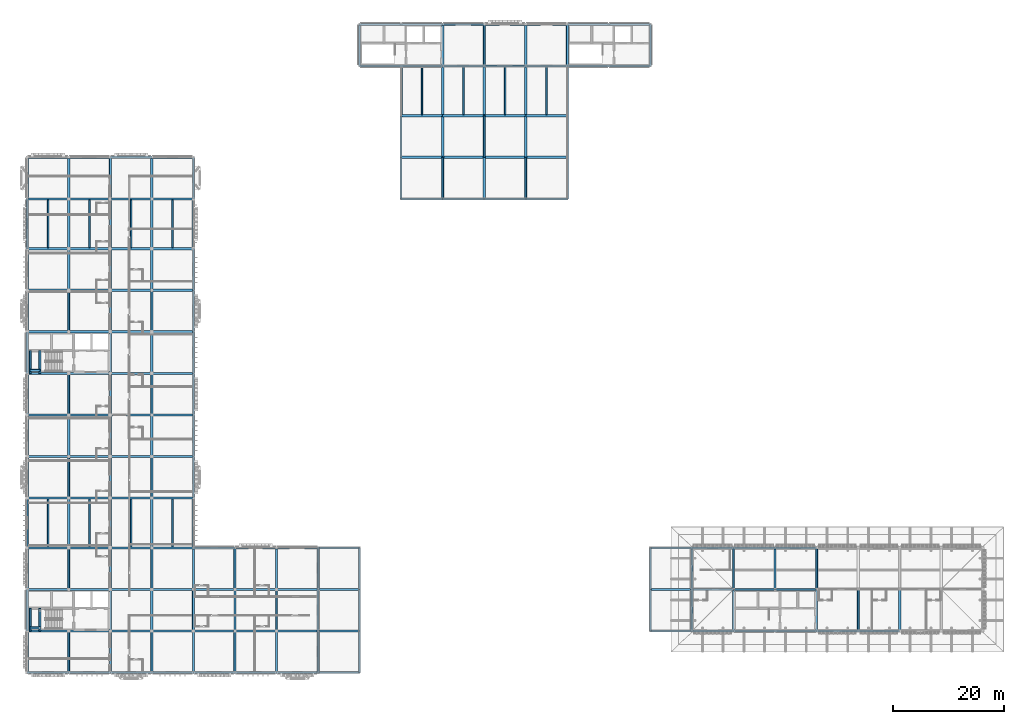
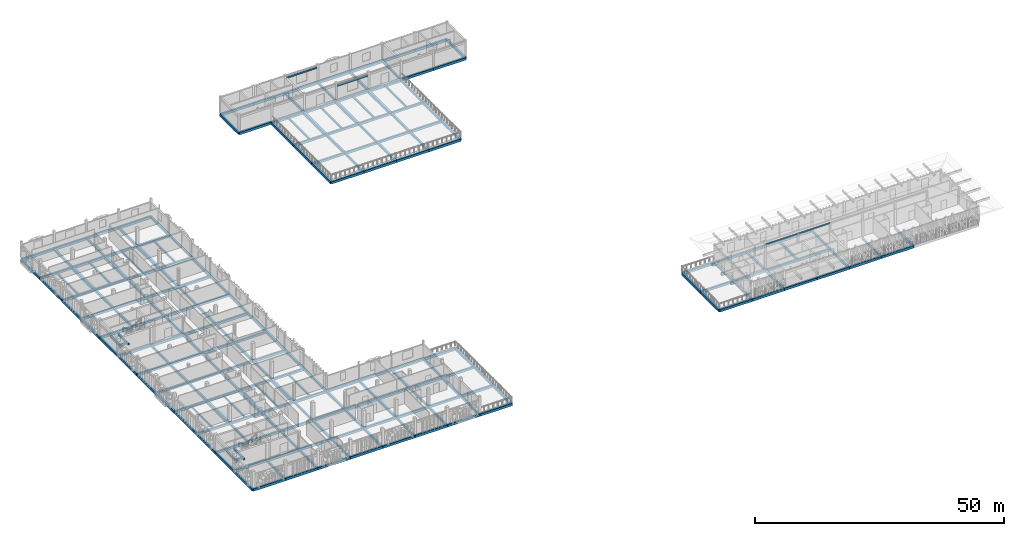
# One storey, part 8 of 33: 230 beams, 2 members.
"""IFC4 building model written with IfcOpenShell, lengths in metres."""

import ifcopenshell
import ifcopenshell.guid

model = None  # the IFC model being written
_history = None  # IfcOwnerHistory: only IFC2X3 demands one
_inside = {}  # id of a spatial element -> (the spatial element, [elements in it])
_under = {}  # id of a project, library or spatial element -> (it, [spatial elements below it])
_declared = {}  # id of a project -> (the project, [libraries it declares])
_typed = {}  # id of a type object -> (the type object, [elements of that type])
_made_of = {}  # id of a material, layer set ... -> (it, [elements and type objects made of it])


def new_model(schema):
    """Start an empty IFC model of exactly this schema.

    Asked for "IFC4X3", IfcOpenShell would pick the latest addendum, in which some entities
    have other attributes; the version numbers below select the first issue.
    IFC2X3 requires an IfcOwnerHistory on every rooted entity: one is made here for all.
    """
    global model, _history
    if schema == "IFC4X3":
        model = ifcopenshell.file(schema_version=(4, 3, 0, 0))
    else:
        model = ifcopenshell.file(schema=schema)
    _inside.clear()
    _under.clear()
    _declared.clear()
    _typed.clear()
    _made_of.clear()
    _history = None
    if model.schema == "IFC2X3":
        org = make("IfcOrganization", Name="unknown")
        user = make(
            "IfcPersonAndOrganization",
            ThePerson=make("IfcPerson", FamilyName="unknown"),
            TheOrganization=org,
        )
        app = make(
            "IfcApplication",
            ApplicationDeveloper=org,
            Version="unknown",
            ApplicationFullName="unknown",
            ApplicationIdentifier="unknown",
        )
        _history = make(
            "IfcOwnerHistory",
            OwningUser=user,
            OwningApplication=app,
            ChangeAction="ADDED",
            CreationDate=0,
        )
    return model


def make(cls, **values):
    """One entity of the class cls with the attributes given. An attribute that is None is left unset."""
    return model.create_entity(
        cls, **{name: value for name, value in values.items() if value is not None}
    )


def rooted(cls, **values):
    """An entity with a GlobalId (a new one), such as an element, a storey or a relation."""
    return make(cls, GlobalId=ifcopenshell.guid.new(), OwnerHistory=_history, **values)


def si_unit(unit_type, name, prefix=None):
    """IfcSIUnit, for example si_unit("LENGTHUNIT", "METRE", prefix="MILLI")."""
    return make("IfcSIUnit", UnitType=unit_type, Prefix=prefix, Name=name)


def assignment(units):
    """IfcUnitAssignment: the units of a project."""
    return None if units is None else make("IfcUnitAssignment", Units=units)


def point(xyz):
    """IfcCartesianPoint."""
    return None if xyz is None else make("IfcCartesianPoint", Coordinates=xyz)


def direction(xyz):
    """IfcDirection."""
    return None if xyz is None else make("IfcDirection", DirectionRatios=xyz)


def frame(location, z_axis=None, x_axis=None):
    """IfcAxis2Placement3D, a coordinate frame: its origin and axes. An axis left out is left unset."""
    return make(
        "IfcAxis2Placement3D",
        Location=point(location),
        Axis=direction(z_axis),
        RefDirection=direction(x_axis),
    )


def frame_2d(location, x_axis=None):
    """IfcAxis2Placement2D, a coordinate frame in the plane: its origin and x axis."""
    return make(
        "IfcAxis2Placement2D", Location=point(location), RefDirection=direction(x_axis)
    )


def origin():
    """The frame at (0, 0, 0) with its axes left unset."""
    return frame((0.0, 0.0, 0.0))


def origin_2d():
    """The frame at (0, 0) in the plane with its x axis left unset."""
    return frame_2d((0.0, 0.0))


def place(relative_to, where):
    """IfcLocalPlacement: puts the frame where relative to a parent placement (None: the world)."""
    return make(
        "IfcLocalPlacement", PlacementRelTo=relative_to, RelativePlacement=where
    )


def context(
    kind, dimensions, precision=None, world=None, true_north=None, identifier=None
):
    """IfcGeometricRepresentationContext, for example the 3D "Model" context."""
    return make(
        "IfcGeometricRepresentationContext",
        ContextIdentifier=identifier,
        ContextType=kind,
        CoordinateSpaceDimension=dimensions,
        Precision=precision,
        WorldCoordinateSystem=world,
        TrueNorth=true_north,
    )


def subcontext(parent, identifier, kind, view, scale=None):
    """IfcGeometricRepresentationSubContext, for example "Body" below "Model"."""
    return make(
        "IfcGeometricRepresentationSubContext",
        ContextIdentifier=identifier,
        ContextType=kind,
        ParentContext=parent,
        TargetScale=scale,
        TargetView=view,
    )


def project(units=None, contexts=None):
    """IfcProject with its units and contexts."""
    return rooted(
        "IfcProject",
        Name="project",
        RepresentationContexts=contexts,
        UnitsInContext=assignment(units),
    )


def spatial(cls, under=None, at=None, **own):
    """A site, building, storey or space (cls), placed at a placement, below another one or the project."""
    s = rooted(cls, ObjectPlacement=at, **own)
    if under is not None:
        _under.setdefault(under.id(), (under, []))[1].append(s)
    return s


def profile(cls, at=None, kind="AREA", **sizes):
    """A parametric profile (cls). Its sizes go by their IFC names, for example OverallWidth=200.0."""
    return make(cls, ProfileType=kind, Position=at, **sizes)


def rectangle(**sizes):
    """IfcRectangleProfileDef."""
    return profile("IfcRectangleProfileDef", **sizes)


def i_section(**sizes):
    """IfcIShapeProfileDef."""
    return profile("IfcIShapeProfileDef", **sizes)


def extrude(swept, where, along, depth):
    """IfcExtrudedAreaSolid: the profile swept, set in the frame where, extruded along a direction by depth."""
    return make(
        "IfcExtrudedAreaSolid",
        SweptArea=swept,
        Position=where,
        ExtrudedDirection=direction(along),
        Depth=depth,
    )


def shape(context_of_items, identifier, shape_type, items):
    """IfcShapeRepresentation: the items that make up one representation, for example the "Body"."""
    return make(
        "IfcShapeRepresentation",
        ContextOfItems=context_of_items,
        RepresentationIdentifier=identifier,
        RepresentationType=shape_type,
        Items=items,
    )


def material(Name=None, Category=None):
    """IfcMaterial."""
    return make("IfcMaterial", Name=Name, Category=Category)


def material_profile(
    of_material, cross_section, Name=None, Category=None, Priority=None
):
    """IfcMaterialProfile: a cross section and its material."""
    return make(
        "IfcMaterialProfile",
        Name=Name,
        Material=of_material,
        Profile=cross_section,
        Priority=Priority,
        Category=Category,
    )


def profile_set(profiles, Name=None, composite=None):
    """IfcMaterialProfileSet."""
    return make(
        "IfcMaterialProfileSet",
        Name=Name,
        MaterialProfiles=profiles,
        CompositeProfile=composite,
    )


def made_of(thing, what):
    """Note that an element or type object is made of a material, layer set ...; save() writes the relation."""
    if what is not None:
        _made_of.setdefault(what.id(), (what, []))[1].append(thing)
    return thing


def type_object(cls, material=None, **own):
    """A type object (cls), such as IfcWallType, which elements share."""
    return made_of(rooted(cls, **own), material)


def element(
    cls,
    number,
    at=None,
    inside=None,
    cuts=None,
    type_object=None,
    material=None,
    context=None,
    identifier="Body",
    shape_type=None,
    held_by="IfcProductDefinitionShape",
    body=None,
    shapes=None,
    **own,
):
    """One element of the class cls, such as IfcWall. Its Tag is "e" and its number.

    at: its placement. inside: the storey or other place that contains it. cuts: it is an
    opening in that element (IfcRelVoidsElement). A single representation is given by context,
    identifier, shape_type and body (its items); several are given by shapes. held_by: the class
    of the entity that holds the representations. save() writes the other relations.
    """
    e = rooted(cls, Tag="e%d" % number, ObjectPlacement=at, **own)
    if body is not None:
        shapes = [shape(context, identifier, shape_type, body)]
    if shapes is not None:
        e.Representation = make(held_by, Representations=shapes)
    if inside is not None:
        _inside.setdefault(inside.id(), (inside, []))[1].append(e)
    if cuts is not None:
        rooted(
            "IfcRelVoidsElement", RelatingBuildingElement=cuts, RelatedOpeningElement=e
        )
    if type_object is not None:
        _typed.setdefault(type_object.id(), (type_object, []))[1].append(e)
    return made_of(e, material)


def aggregate(whole, parts):
    """IfcRelAggregates: a whole, such as a stair, and the parts it consists of."""
    return rooted("IfcRelAggregates", RelatingObject=whole, RelatedObjects=parts)


def save(model, path):
    """Write the relations noted so far, then the file.

    IfcRelAggregates (storeys below a building ...), IfcRelContainedInSpatialStructure (elements
    in a storey), IfcRelDefinesByType, IfcRelAssociatesMaterial and IfcRelDeclares: one each for
    every whole, place, type object, material and project.
    """
    for whole, parts in _under.values():
        aggregate(whole, parts)
    for where, things in _inside.values():
        rooted(
            "IfcRelContainedInSpatialStructure",
            RelatedElements=things,
            RelatingStructure=where,
        )
    for kind, things in _typed.values():
        rooted("IfcRelDefinesByType", RelatedObjects=things, RelatingType=kind)
    for what, things in _made_of.values():
        rooted("IfcRelAssociatesMaterial", RelatedObjects=things, RelatingMaterial=what)
    for by, libraries in _declared.values():
        rooted("IfcRelDeclares", RelatingContext=by, RelatedDefinitions=libraries)
    model.write(path)


model = new_model("IFC4")

# Units and contexts
model_context = context("Model", 3, precision=1e-05, world=origin(), true_north=direction((0.0, 1.0)))
body_context = subcontext(model_context, "Body", "Model", "MODEL_VIEW")
ifc_project = project(units=[si_unit("LENGTHUNIT", "METRE"), si_unit("AREAUNIT", "SQUARE_METRE"), si_unit("VOLUMEUNIT", "CUBIC_METRE"), si_unit("PLANEANGLEUNIT", "RADIAN"), si_unit("MASSUNIT", "GRAM", prefix="KILO")], contexts=[model_context])

# Site, building, storey
site_placement = place(None, origin())
site = spatial("IfcSite", under=ifc_project, at=site_placement, CompositionType="ELEMENT")
building_placement = place(site_placement, origin())
building = spatial("IfcBuilding", under=site, at=building_placement, Name="Dalvernix Boulevard General Hospital", CompositionType="ELEMENT")
storey_placement = place(building_placement, frame((0.0, 0.0, 21.89990234375)))
storey = spatial("IfcBuildingStorey", under=building, at=storey_placement, Name="L05", CompositionType="ELEMENT", Elevation=21.89990234375)

# Beams
ifc_material_1 = material(Name="Concrete C35/45", Category="concrete")
ifc_material_profile_1 = material_profile(ifc_material_1, rectangle(XDim=0.5, YDim=0.699951171875, at=origin_2d()), Name="RCB 500x700")
ifc_profile_set_1 = profile_set([ifc_material_profile_1], Name="Concrete C35/45")
beam_type_1 = type_object("IfcBeamType", Name="BM-B-01-I", PredefinedType="BEAM", material=ifc_profile_set_1)
for number, where, z_axis, x_axis, name in (
    (1, (7.5, 22.5, -0.6298828125), (0.0, 1.0, 0.0), (-1.0, 0.0, 0.0), "L05 N-S girder 2:D-E"),
    (2, (7.5, 76.5, -0.6298828125), (0.0, 1.0, 0.0), (-1.0, 0.0, 0.0), "L05 N-S girder 2:L-M"),
    (3, (15.0, 22.5, -0.6298828125), (0.0, 1.0, 0.0), (-1.0, 0.0, 0.0), "L05 N-S girder 3:D-E"),
    (4, (15.0, 76.5, -0.6298828125), (0.0, 1.0, 0.0), (-1.0, 0.0, 0.0), "L05 N-S girder 3:L-M"),
    (5, (22.5, 22.5, -0.6298828125), (0.0, 1.0, 0.0), (-1.0, 0.0, 0.0), "L05 N-S girder 4:D-E"),
    (6, (22.5, 76.5, -0.6298828125), (0.0, 1.0, 0.0), (-1.0, 0.0, 0.0), "L05 N-S girder 4:L-M"),
    (7, (75.0, 100.5, -0.77001953125), (0.0, 1.0, 0.0), (-1.0, 0.0, 0.0), "L05 N-S girder 11:P-Q"),
    (8, (82.5, 100.5, -0.77001953125), (0.0, 1.0, 0.0), (-1.0, 0.0, 0.0), "L05 N-S girder 12:P-Q"),
    (9, (90.0, 100.5, -0.77001953125), (0.0, 1.0, 0.0), (-1.0, 0.0, 0.0), "L05 N-S girder 13:P-Q"),
):
    element("IfcBeam", number, at=place(storey_placement, frame(where, z_axis=z_axis, x_axis=x_axis)), inside=storey, type_object=beam_type_1, Name=name, PredefinedType="BEAM", context=body_context, shape_type="SweptSolid", body=[
        extrude(rectangle(XDim=0.5, YDim=0.699951171875, at=origin_2d()), origin(), (0.0, 0.0, 1.0), 9.0),
    ])
ifc_material_profile_2 = material_profile(ifc_material_1, rectangle(XDim=0.39990234375, YDim=0.60009765625, at=origin_2d()), Name="RCB 400x600")
ifc_profile_set_2 = profile_set([ifc_material_profile_2], Name="Concrete C35/45")
beam_type_2 = type_object("IfcBeamType", Name="BM-B-05-I", PredefinedType="BEAM", material=ifc_profile_set_2)
for number, where, z_axis, x_axis, name in (
    (10, (7.5, 7.5, -0.579833984375), (1.0, 0.0, 0.0), (0.0, 1.0, 0.0), "L05 E-W girder B:2-3"),
    (11, (22.5, 7.5, -0.579833984375), (1.0, 0.0, 0.0), (0.0, 1.0, 0.0), "L05 E-W girder B:4-5"),
    (12, (37.5, 7.5, -0.579833984375), (1.0, 0.0, 0.0), (0.0, 1.0, 0.0), "L05 E-W girder B:6-7"),
    (13, (52.5, 7.5, -0.579833984375), (1.0, 0.0, 0.0), (0.0, 1.0, 0.0), "L05 E-W girder B:8-9"),
    (14, (0.0, 15.0, -0.579833984375), (1.0, 0.0, 0.0), (0.0, 1.0, 0.0), "L05 E-W girder C:1-2"),
    (15, (15.0, 15.0, -0.579833984375), (1.0, 0.0, 0.0), (0.0, 1.0, 0.0), "L05 E-W girder C:3-4"),
    (16, (30.0, 15.0, -0.579833984375), (1.0, 0.0, 0.0), (0.0, 1.0, 0.0), "L05 E-W girder C:5-6"),
    (17, (45.0, 15.0, -0.579833984375), (1.0, 0.0, 0.0), (0.0, 1.0, 0.0), "L05 E-W girder C:7-8"),
    (18, (120.0, 15.0, -0.579833984375), (1.0, 0.0, 0.0), (0.0, 1.0, 0.0), "L05 E-W girder C:17-18"),
    (19, (135.0, 15.0, -0.579833984375), (1.0, 0.0, 0.0), (0.0, 1.0, 0.0), "L05 E-W girder C:19-20"),
    (20, (7.5, 22.5, -0.579833984375), (1.0, 0.0, 0.0), (0.0, 1.0, 0.0), "L05 E-W girder D:2-3"),
    (21, (22.5, 22.5, -0.579833984375), (1.0, 0.0, 0.0), (0.0, 1.0, 0.0), "L05 E-W girder D:4-5"),
    (22, (0.0, 31.5, -0.579833984375), (1.0, 0.0, 0.0), (0.0, 1.0, 0.0), "L05 E-W girder E:1-2"),
    (23, (15.0, 31.5, -0.579833984375), (1.0, 0.0, 0.0), (0.0, 1.0, 0.0), "L05 E-W girder E:3-4"),
    (24, (7.5, 39.0, -0.579833984375), (1.0, 0.0, 0.0), (0.0, 1.0, 0.0), "L05 E-W girder F:2-3"),
    (25, (22.5, 39.0, -0.579833984375), (1.0, 0.0, 0.0), (0.0, 1.0, 0.0), "L05 E-W girder F:4-5"),
    (26, (0.0, 46.5, -0.579833984375), (1.0, 0.0, 0.0), (0.0, 1.0, 0.0), "L05 E-W girder G:1-2"),
    (27, (15.0, 46.5, -0.579833984375), (1.0, 0.0, 0.0), (0.0, 1.0, 0.0), "L05 E-W girder G:3-4"),
    (28, (7.5, 54.0, -0.579833984375), (1.0, 0.0, 0.0), (0.0, 1.0, 0.0), "L05 E-W girder H:2-3"),
    (29, (22.5, 54.0, -0.579833984375), (1.0, 0.0, 0.0), (0.0, 1.0, 0.0), "L05 E-W girder H:4-5"),
    (30, (0.0, 61.5, -0.579833984375), (1.0, 0.0, 0.0), (0.0, 1.0, 0.0), "L05 E-W girder J:1-2"),
    (31, (15.0, 61.5, -0.579833984375), (1.0, 0.0, 0.0), (0.0, 1.0, 0.0), "L05 E-W girder J:3-4"),
    (32, (7.5, 69.0, -0.579833984375), (1.0, 0.0, 0.0), (0.0, 1.0, 0.0), "L05 E-W girder K:2-3"),
    (33, (22.5, 69.0, -0.579833984375), (1.0, 0.0, 0.0), (0.0, 1.0, 0.0), "L05 E-W girder K:4-5"),
    (34, (0.0, 76.5, -0.579833984375), (1.0, 0.0, 0.0), (0.0, 1.0, 0.0), "L05 E-W girder L:1-2"),
    (35, (15.0, 76.5, -0.579833984375), (1.0, 0.0, 0.0), (0.0, 1.0, 0.0), "L05 E-W girder L:3-4"),
    (36, (7.5, 85.5, -0.579833984375), (1.0, 0.0, 0.0), (0.0, 1.0, 0.0), "L05 E-W girder M:2-3"),
    (37, (22.5, 85.5, -0.579833984375), (1.0, 0.0, 0.0), (0.0, 1.0, 0.0), "L05 E-W girder M:4-5"),
    (38, (75.0, 93.0, -0.719970703125), (1.0, 0.0, 0.0), (0.0, 1.0, 0.0), "L05 E-W girder N:11-12"),
    (39, (90.0, 93.0, -0.719970703125), (1.0, 0.0, 0.0), (0.0, 1.0, 0.0), "L05 E-W girder N:13-14"),
    (40, (67.5, 100.5, -0.719970703125), (1.0, 0.0, 0.0), (0.0, 1.0, 0.0), "L05 E-W girder P:10-11"),
    (41, (82.5, 100.5, -0.719970703125), (1.0, 0.0, 0.0), (0.0, 1.0, 0.0), "L05 E-W girder P:12-13"),
    (42, (75.0, 109.5, -0.719970703125), (1.0, 0.0, 0.0), (0.0, 1.0, 0.0), "L05 E-W girder Q:11-12"),
    (43, (90.0, 109.5, -0.719970703125), (1.0, 0.0, 0.0), (0.0, 1.0, 0.0), "L05 E-W girder Q:13-14"),
):
    element("IfcBeam", number, at=place(storey_placement, frame(where, z_axis=z_axis, x_axis=x_axis)), inside=storey, type_object=beam_type_2, Name=name, PredefinedType="BEAM", context=body_context, shape_type="SweptSolid", body=[
        extrude(rectangle(XDim=0.39990234375, YDim=0.60009765625, at=origin_2d()), origin(), (0.0, 0.0, 1.0), 7.5),
    ])
ifc_material_profile_3 = material_profile(ifc_material_1, rectangle(XDim=0.39990234375, YDim=0.550048828125, at=origin_2d()), Name="RCB 400x550")
ifc_profile_set_3 = profile_set([ifc_material_profile_3], Name="Concrete C35/45")
beam_type_3 = type_object("IfcBeamType", Name="BM-B-06-I", PredefinedType="BEAM", material=ifc_profile_set_3)
for number, where, z_axis, x_axis, name in (
    (44, (0.0, 7.5, -0.554931640625), (1.0, 0.0, 0.0), (0.0, 1.0, 0.0), "L05 E-W girder B:1-2"),
    (45, (15.0, 7.5, -0.554931640625), (1.0, 0.0, 0.0), (0.0, 1.0, 0.0), "L05 E-W girder B:3-4"),
    (46, (30.0, 7.5, -0.554931640625), (1.0, 0.0, 0.0), (0.0, 1.0, 0.0), "L05 E-W girder B:5-6"),
    (47, (45.0, 7.5, -0.554931640625), (1.0, 0.0, 0.0), (0.0, 1.0, 0.0), "L05 E-W girder B:7-8"),
    (48, (7.5, 15.0, -0.554931640625), (1.0, 0.0, 0.0), (0.0, 1.0, 0.0), "L05 E-W girder C:2-3"),
    (49, (22.5, 15.0, -0.554931640625), (1.0, 0.0, 0.0), (0.0, 1.0, 0.0), "L05 E-W girder C:4-5"),
    (50, (37.5, 15.0, -0.554931640625), (1.0, 0.0, 0.0), (0.0, 1.0, 0.0), "L05 E-W girder C:6-7"),
    (51, (52.5, 15.0, -0.554931640625), (1.0, 0.0, 0.0), (0.0, 1.0, 0.0), "L05 E-W girder C:8-9"),
    (52, (112.5, 15.0, -0.554931640625), (1.0, 0.0, 0.0), (0.0, 1.0, 0.0), "L05 E-W girder C:16-17"),
    (53, (127.5, 15.0, -0.554931640625), (1.0, 0.0, 0.0), (0.0, 1.0, 0.0), "L05 E-W girder C:18-19"),
    (54, (0.0, 22.5, -0.554931640625), (1.0, 0.0, 0.0), (0.0, 1.0, 0.0), "L05 E-W girder D:1-2"),
    (55, (15.0, 22.5, -0.554931640625), (1.0, 0.0, 0.0), (0.0, 1.0, 0.0), "L05 E-W girder D:3-4"),
    (56, (7.5, 31.5, -0.554931640625), (1.0, 0.0, 0.0), (0.0, 1.0, 0.0), "L05 E-W girder E:2-3"),
    (57, (22.5, 31.5, -0.554931640625), (1.0, 0.0, 0.0), (0.0, 1.0, 0.0), "L05 E-W girder E:4-5"),
    (58, (0.0, 39.0, -0.554931640625), (1.0, 0.0, 0.0), (0.0, 1.0, 0.0), "L05 E-W girder F:1-2"),
    (59, (15.0, 39.0, -0.554931640625), (1.0, 0.0, 0.0), (0.0, 1.0, 0.0), "L05 E-W girder F:3-4"),
    (60, (7.5, 46.5, -0.554931640625), (1.0, 0.0, 0.0), (0.0, 1.0, 0.0), "L05 E-W girder G:2-3"),
    (61, (22.5, 46.5, -0.554931640625), (1.0, 0.0, 0.0), (0.0, 1.0, 0.0), "L05 E-W girder G:4-5"),
    (62, (0.0, 54.0, -0.554931640625), (1.0, 0.0, 0.0), (0.0, 1.0, 0.0), "L05 E-W girder H:1-2"),
    (63, (15.0, 54.0, -0.554931640625), (1.0, 0.0, 0.0), (0.0, 1.0, 0.0), "L05 E-W girder H:3-4"),
    (64, (7.5, 61.5, -0.554931640625), (1.0, 0.0, 0.0), (0.0, 1.0, 0.0), "L05 E-W girder J:2-3"),
    (65, (22.5, 61.5, -0.554931640625), (1.0, 0.0, 0.0), (0.0, 1.0, 0.0), "L05 E-W girder J:4-5"),
    (66, (0.0, 69.0, -0.554931640625), (1.0, 0.0, 0.0), (0.0, 1.0, 0.0), "L05 E-W girder K:1-2"),
    (67, (15.0, 69.0, -0.554931640625), (1.0, 0.0, 0.0), (0.0, 1.0, 0.0), "L05 E-W girder K:3-4"),
    (68, (7.5, 76.5, -0.554931640625), (1.0, 0.0, 0.0), (0.0, 1.0, 0.0), "L05 E-W girder L:2-3"),
    (69, (22.5, 76.5, -0.554931640625), (1.0, 0.0, 0.0), (0.0, 1.0, 0.0), "L05 E-W girder L:4-5"),
    (70, (0.0, 85.5, -0.554931640625), (1.0, 0.0, 0.0), (0.0, 1.0, 0.0), "L05 E-W girder M:1-2"),
    (71, (15.0, 85.5, -0.554931640625), (1.0, 0.0, 0.0), (0.0, 1.0, 0.0), "L05 E-W girder M:3-4"),
    (72, (67.5, 93.0, -0.69482421875), (1.0, 0.0, 0.0), (0.0, 1.0, 0.0), "L05 E-W girder N:10-11"),
    (73, (82.5, 93.0, -0.69482421875), (1.0, 0.0, 0.0), (0.0, 1.0, 0.0), "L05 E-W girder N:12-13"),
    (74, (75.0, 100.5, -0.69482421875), (1.0, 0.0, 0.0), (0.0, 1.0, 0.0), "L05 E-W girder P:11-12"),
    (75, (90.0, 100.5, -0.69482421875), (1.0, 0.0, 0.0), (0.0, 1.0, 0.0), "L05 E-W girder P:13-14"),
    (76, (67.5, 109.5, -0.69482421875), (1.0, 0.0, 0.0), (0.0, 1.0, 0.0), "L05 E-W girder Q:10-11"),
    (77, (82.5, 109.5, -0.69482421875), (1.0, 0.0, 0.0), (0.0, 1.0, 0.0), "L05 E-W girder Q:12-13"),
    (78, (7.5, 39.0, -0.554931640625), (0.0, 1.0, 0.0), (-1.0, 0.0, 0.0), "L05 N-S girder 2:F-G"),
    (79, (7.5, 69.0, -0.554931640625), (0.0, 1.0, 0.0), (-1.0, 0.0, 0.0), "L05 N-S girder 2:K-L"),
    (80, (7.5, 85.5, -0.554931640625), (0.0, 1.0, 0.0), (-1.0, 0.0, 0.0), "L05 N-S girder 2:M-N"),
    (81, (15.0, 0.0, -0.554931640625), (0.0, 1.0, 0.0), (-1.0, 0.0, 0.0), "L05 N-S girder 3:A-B"),
    (82, (15.0, 15.0, -0.554931640625), (0.0, 1.0, 0.0), (-1.0, 0.0, 0.0), "L05 N-S girder 3:C-D"),
    (83, (15.0, 31.5, -0.554931640625), (0.0, 1.0, 0.0), (-1.0, 0.0, 0.0), "L05 N-S girder 3:E-F"),
    (84, (15.0, 46.5, -0.554931640625), (0.0, 1.0, 0.0), (-1.0, 0.0, 0.0), "L05 N-S girder 3:G-H"),
    (85, (15.0, 61.5, -0.554931640625), (0.0, 1.0, 0.0), (-1.0, 0.0, 0.0), "L05 N-S girder 3:J-K"),
    (86, (22.5, 7.5, -0.554931640625), (0.0, 1.0, 0.0), (-1.0, 0.0, 0.0), "L05 N-S girder 4:B-C"),
    (87, (22.5, 39.0, -0.554931640625), (0.0, 1.0, 0.0), (-1.0, 0.0, 0.0), "L05 N-S girder 4:F-G"),
    (88, (22.5, 54.0, -0.554931640625), (0.0, 1.0, 0.0), (-1.0, 0.0, 0.0), "L05 N-S girder 4:H-J"),
    (89, (22.5, 69.0, -0.554931640625), (0.0, 1.0, 0.0), (-1.0, 0.0, 0.0), "L05 N-S girder 4:K-L"),
    (90, (22.5, 85.5, -0.554931640625), (0.0, 1.0, 0.0), (-1.0, 0.0, 0.0), "L05 N-S girder 4:M-N"),
    (91, (30.0, 0.0, -0.554931640625), (0.0, 1.0, 0.0), (-1.0, 0.0, 0.0), "L05 N-S girder 5:A-B"),
    (92, (30.0, 15.0, -0.554931640625), (0.0, 1.0, 0.0), (-1.0, 0.0, 0.0), "L05 N-S girder 5:C-D"),
    (93, (37.5, 7.5, -0.554931640625), (0.0, 1.0, 0.0), (-1.0, 0.0, 0.0), "L05 N-S girder 6:B-C"),
    (94, (45.0, 0.0, -0.554931640625), (0.0, 1.0, 0.0), (-1.0, 0.0, 0.0), "L05 N-S girder 7:A-B"),
    (95, (45.0, 15.0, -0.554931640625), (0.0, 1.0, 0.0), (-1.0, 0.0, 0.0), "L05 N-S girder 7:C-D"),
    (96, (52.5, 7.5, -0.554931640625), (0.0, 1.0, 0.0), (-1.0, 0.0, 0.0), "L05 N-S girder 8:B-C"),
    (97, (75.0, 93.0, -0.69482421875), (0.0, 1.0, 0.0), (-1.0, 0.0, 0.0), "L05 N-S girder 11:N-P"),
    (98, (75.0, 109.5, -0.554931640625), (0.0, 1.0, 0.0), (-1.0, 0.0, 0.0), "L05 N-S girder 11:Q-R"),
    (99, (82.5, 85.5, -0.69482421875), (0.0, 1.0, 0.0), (-1.0, 0.0, 0.0), "L05 N-S girder 12:M-N"),
    (100, (90.0, 93.0, -0.69482421875), (0.0, 1.0, 0.0), (-1.0, 0.0, 0.0), "L05 N-S girder 13:N-P"),
    (101, (90.0, 109.5, -0.554931640625), (0.0, 1.0, 0.0), (-1.0, 0.0, 0.0), "L05 N-S girder 13:Q-R"),
    (102, (120.0, 15.0, -0.554931640625), (0.0, 1.0, 0.0), (-1.0, 0.0, 0.0), "L05 N-S girder 17:C-D"),
    (103, (127.5, 7.5, -0.554931640625), (0.0, 1.0, 0.0), (-1.0, 0.0, 0.0), "L05 N-S girder 18:B-C"),
    (104, (135.0, 15.0, -0.554931640625), (0.0, 1.0, 0.0), (-1.0, 0.0, 0.0), "L05 N-S girder 19:C-D"),
    (105, (142.5, 7.5, -0.554931640625), (0.0, 1.0, 0.0), (-1.0, 0.0, 0.0), "L05 N-S girder 20:B-C"),
    (106, (157.5, 7.5, -0.554931640625), (0.0, 1.0, 0.0), (-1.0, 0.0, 0.0), "L05 N-S girder 22:B-C"),
):
    element("IfcBeam", number, at=place(storey_placement, frame(where, z_axis=z_axis, x_axis=x_axis)), inside=storey, type_object=beam_type_3, Name=name, PredefinedType="BEAM", context=body_context, shape_type="SweptSolid", body=[
        extrude(rectangle(XDim=0.39990234375, YDim=0.550048828125, at=origin_2d()), origin(), (0.0, 0.0, 1.0), 7.5),
    ])
ifc_material_profile_4 = material_profile(ifc_material_1, rectangle(XDim=0.35009765625, YDim=0.5, at=origin_2d()), Name="RCB 350x500")
ifc_profile_set_4 = profile_set([ifc_material_profile_4], Name="Concrete C35/45")
beam_type_4 = type_object("IfcBeamType", Name="BM-B-08", PredefinedType="BEAM", material=ifc_profile_set_4)
for number, where, z_axis, x_axis, name in (
    (107, (0.550048828125, 7.5, 1.5751953125), (0.0, 1.0, 0.0), (-1.0, 0.0, 0.0), "L05 C1 stair half-landing beam 1"),
    (108, (2.300048828125, 7.5, 1.5751953125), (0.0, 1.0, 0.0), (-1.0, 0.0, 0.0), "L05 C1 stair half-landing beam 2"),
):
    element("IfcBeam", number, at=place(storey_placement, frame(where, z_axis=z_axis, x_axis=x_axis)), inside=storey, type_object=beam_type_4, Name=name, PredefinedType="BEAM", context=body_context, shape_type="SweptSolid", body=[
        extrude(rectangle(XDim=0.35009765625, YDim=0.5, at=origin_2d()), origin(), (0.0, 0.0, 1.0), 4.10009765625),
    ])
beam_1_placement = place(storey_placement, frame((0.550048828125, 8.050048828125, 1.5751953125), z_axis=(1.0, 0.0, 0.0), x_axis=(0.0, 1.0, 0.0)))
element("IfcBeam", 109, at=beam_1_placement, inside=storey, type_object=beam_type_4, Name="L05 C1 stair half-landing tie beam", PredefinedType="BEAM", context=body_context, shape_type="SweptSolid", body=[
    extrude(rectangle(XDim=0.35009765625, YDim=0.5, at=origin_2d()), origin(), (0.0, 0.0, 1.0), 1.75),
])
for number, where, z_axis, x_axis, name in (
    (110, (0.550048828125, 54.0, 1.5751953125), (0.0, 1.0, 0.0), (-1.0, 0.0, 0.0), "L05 C2 stair half-landing beam 1"),
    (111, (2.300048828125, 54.0, 1.5751953125), (0.0, 1.0, 0.0), (-1.0, 0.0, 0.0), "L05 C2 stair half-landing beam 2"),
):
    element("IfcBeam", number, at=place(storey_placement, frame(where, z_axis=z_axis, x_axis=x_axis)), inside=storey, type_object=beam_type_4, Name=name, PredefinedType="BEAM", context=body_context, shape_type="SweptSolid", body=[
        extrude(rectangle(XDim=0.35009765625, YDim=0.5, at=origin_2d()), origin(), (0.0, 0.0, 1.0), 4.10009765625),
    ])
beam_2_placement = place(storey_placement, frame((0.550048828125, 54.550048828125, 1.5751953125), z_axis=(1.0, 0.0, 0.0), x_axis=(0.0, 1.0, 0.0)))
element("IfcBeam", 112, at=beam_2_placement, inside=storey, type_object=beam_type_4, Name="L05 C2 stair half-landing tie beam", PredefinedType="BEAM", context=body_context, shape_type="SweptSolid", body=[
    extrude(rectangle(XDim=0.35009765625, YDim=0.5, at=origin_2d()), origin(), (0.0, 0.0, 1.0), 1.75),
])
ifc_material_profile_5 = material_profile(ifc_material_1, rectangle(XDim=0.35009765625, YDim=0.5, at=origin_2d()), Name="RCB 350x500")
ifc_profile_set_5 = profile_set([ifc_material_profile_5], Name="Concrete C35/45")
beam_type_5 = type_object("IfcBeamType", Name="BM-B-08-I", PredefinedType="BEAM", material=ifc_profile_set_5)
for number, where, z_axis, x_axis, name in (
    (113, (7.5, 0.0, -0.52978515625), (0.0, 1.0, 0.0), (-1.0, 0.0, 0.0), "L05 N-S girder 2:A-B"),
    (114, (7.5, 15.0, -0.52978515625), (0.0, 1.0, 0.0), (-1.0, 0.0, 0.0), "L05 N-S girder 2:C-D"),
    (115, (7.5, 31.5, -0.52978515625), (0.0, 1.0, 0.0), (-1.0, 0.0, 0.0), "L05 N-S girder 2:E-F"),
    (116, (7.5, 46.5, -0.52978515625), (0.0, 1.0, 0.0), (-1.0, 0.0, 0.0), "L05 N-S girder 2:G-H"),
    (117, (7.5, 61.5, -0.52978515625), (0.0, 1.0, 0.0), (-1.0, 0.0, 0.0), "L05 N-S girder 2:J-K"),
    (118, (15.0, 7.5, -0.52978515625), (0.0, 1.0, 0.0), (-1.0, 0.0, 0.0), "L05 N-S girder 3:B-C"),
    (119, (15.0, 39.0, -0.52978515625), (0.0, 1.0, 0.0), (-1.0, 0.0, 0.0), "L05 N-S girder 3:F-G"),
    (120, (15.0, 54.0, -0.52978515625), (0.0, 1.0, 0.0), (-1.0, 0.0, 0.0), "L05 N-S girder 3:H-J"),
    (121, (15.0, 69.0, -0.52978515625), (0.0, 1.0, 0.0), (-1.0, 0.0, 0.0), "L05 N-S girder 3:K-L"),
    (122, (15.0, 85.5, -0.52978515625), (0.0, 1.0, 0.0), (-1.0, 0.0, 0.0), "L05 N-S girder 3:M-N"),
    (123, (22.5, 0.0, -0.52978515625), (0.0, 1.0, 0.0), (-1.0, 0.0, 0.0), "L05 N-S girder 4:A-B"),
    (124, (22.5, 15.0, -0.52978515625), (0.0, 1.0, 0.0), (-1.0, 0.0, 0.0), "L05 N-S girder 4:C-D"),
    (125, (22.5, 31.5, -0.52978515625), (0.0, 1.0, 0.0), (-1.0, 0.0, 0.0), "L05 N-S girder 4:E-F"),
    (126, (22.5, 46.5, -0.52978515625), (0.0, 1.0, 0.0), (-1.0, 0.0, 0.0), "L05 N-S girder 4:G-H"),
    (127, (22.5, 61.5, -0.52978515625), (0.0, 1.0, 0.0), (-1.0, 0.0, 0.0), "L05 N-S girder 4:J-K"),
    (128, (30.0, 7.5, -0.52978515625), (0.0, 1.0, 0.0), (-1.0, 0.0, 0.0), "L05 N-S girder 5:B-C"),
    (129, (37.5, 0.0, -0.52978515625), (0.0, 1.0, 0.0), (-1.0, 0.0, 0.0), "L05 N-S girder 6:A-B"),
    (130, (37.5, 15.0, -0.52978515625), (0.0, 1.0, 0.0), (-1.0, 0.0, 0.0), "L05 N-S girder 6:C-D"),
    (131, (45.0, 7.5, -0.52978515625), (0.0, 1.0, 0.0), (-1.0, 0.0, 0.0), "L05 N-S girder 7:B-C"),
    (132, (52.5, 0.0, -0.52978515625), (0.0, 1.0, 0.0), (-1.0, 0.0, 0.0), "L05 N-S girder 8:A-B"),
    (133, (52.5, 15.0, -0.52978515625), (0.0, 1.0, 0.0), (-1.0, 0.0, 0.0), "L05 N-S girder 8:C-D"),
    (134, (75.0, 85.5, -0.669921875), (0.0, 1.0, 0.0), (-1.0, 0.0, 0.0), "L05 N-S girder 11:M-N"),
    (135, (82.5, 93.0, -0.669921875), (0.0, 1.0, 0.0), (-1.0, 0.0, 0.0), "L05 N-S girder 12:N-P"),
    (136, (82.5, 109.5, -0.52978515625), (0.0, 1.0, 0.0), (-1.0, 0.0, 0.0), "L05 N-S girder 12:Q-R"),
    (137, (90.0, 85.5, -0.669921875), (0.0, 1.0, 0.0), (-1.0, 0.0, 0.0), "L05 N-S girder 13:M-N"),
    (138, (97.5, 109.5, -0.52978515625), (0.0, 1.0, 0.0), (-1.0, 0.0, 0.0), "L05 N-S girder 14:Q-R"),
    (139, (120.0, 7.5, -0.52978515625), (0.0, 1.0, 0.0), (-1.0, 0.0, 0.0), "L05 N-S girder 17:B-C"),
    (140, (127.5, 15.0, -0.52978515625), (0.0, 1.0, 0.0), (-1.0, 0.0, 0.0), "L05 N-S girder 18:C-D"),
    (141, (142.5, 15.0, -0.52978515625), (0.0, 1.0, 0.0), (-1.0, 0.0, 0.0), "L05 N-S girder 20:C-D"),
    (142, (150.0, 7.5, -0.52978515625), (0.0, 1.0, 0.0), (-1.0, 0.0, 0.0), "L05 N-S girder 21:B-C"),
):
    element("IfcBeam", number, at=place(storey_placement, frame(where, z_axis=z_axis, x_axis=x_axis)), inside=storey, type_object=beam_type_5, Name=name, PredefinedType="BEAM", context=body_context, shape_type="SweptSolid", body=[
        extrude(rectangle(XDim=0.35009765625, YDim=0.5, at=origin_2d()), origin(), (0.0, 0.0, 1.0), 7.5),
    ])
ifc_material_profile_6 = material_profile(ifc_material_1, rectangle(XDim=0.300048828125, YDim=0.39990234375, at=origin_2d()), Name="RCB 300x400")
ifc_profile_set_6 = profile_set([ifc_material_profile_6], Name="Concrete C35/45")
beam_type_6 = type_object("IfcBeamType", Name="BM-JB-01", PredefinedType="JOIST", material=ifc_profile_set_6)
for number, where, z_axis, x_axis, name in (
    (143, (3.75, 22.699951171875, -0.47998046875), (0.0, 1.0, 0.0), (-1.0, 0.0, 0.0), "L05 secondary floor beam 1-D"),
    (144, (3.75, 76.699951171875, -0.47998046875), (0.0, 1.0, 0.0), (-1.0, 0.0, 0.0), "L05 secondary floor beam 1-L"),
    (145, (11.25, 22.699951171875, -0.47998046875), (0.0, 1.0, 0.0), (-1.0, 0.0, 0.0), "L05 secondary floor beam 2-D"),
    (146, (11.25, 76.699951171875, -0.47998046875), (0.0, 1.0, 0.0), (-1.0, 0.0, 0.0), "L05 secondary floor beam 2-L"),
    (147, (18.75, 22.699951171875, -0.47998046875), (0.0, 1.0, 0.0), (-1.0, 0.0, 0.0), "L05 secondary floor beam 3-D"),
    (148, (18.75, 76.699951171875, -0.47998046875), (0.0, 1.0, 0.0), (-1.0, 0.0, 0.0), "L05 secondary floor beam 3-L"),
    (149, (26.25, 22.699951171875, -0.47998046875), (0.0, 1.0, 0.0), (-1.0, 0.0, 0.0), "L05 secondary floor beam 4-D"),
    (150, (26.25, 76.699951171875, -0.47998046875), (0.0, 1.0, 0.0), (-1.0, 0.0, 0.0), "L05 secondary floor beam 4-L"),
    (151, (71.25, 100.699951171875, -0.619873046875), (0.0, 1.0, 0.0), (-1.0, 0.0, 0.0), "L05 secondary floor beam 10-P"),
    (152, (78.75, 100.699951171875, -0.619873046875), (0.0, 1.0, 0.0), (-1.0, 0.0, 0.0), "L05 secondary floor beam 11-P"),
    (153, (86.25, 100.699951171875, -0.619873046875), (0.0, 1.0, 0.0), (-1.0, 0.0, 0.0), "L05 secondary floor beam 12-P"),
    (154, (93.75, 100.699951171875, -0.619873046875), (0.0, 1.0, 0.0), (-1.0, 0.0, 0.0), "L05 secondary floor beam 13-P"),
):
    element("IfcBeam", number, at=place(storey_placement, frame(where, z_axis=z_axis, x_axis=x_axis)), inside=storey, type_object=beam_type_6, Name=name, PredefinedType="JOIST", context=body_context, shape_type="SweptSolid", body=[
        extrude(rectangle(XDim=0.300048828125, YDim=0.39990234375, at=origin_2d()), origin(), (0.0, 0.0, 1.0), 8.60009765625),
    ])
ifc_material_2 = material(Name="Precast concrete C40/50", Category="concrete")
ifc_material_profile_7 = material_profile(ifc_material_2, rectangle(XDim=0.300048828125, YDim=0.3798828125, at=origin_2d()), Name="RCL 300x380")
ifc_profile_set_7 = profile_set([ifc_material_profile_7], Name="Precast concrete C40/50")
beam_type_7 = type_object("IfcBeamType", Name="BM-LB-02", PredefinedType="LINTEL", material=ifc_profile_set_7)
for number, where, z_axis, x_axis, name in (
    (155, (75.235107421875, 117.0, 3.190185546875), (1.0, 0.0, 0.0), (0.0, 1.0, 0.0), "L05 precast window lintel N 10-15"),
    (156, (89.764892578125, 109.5, 3.190185546875), (-1.0, 0.0, 0.0), (0.0, -1.0, 0.0), "L05 precast window lintel S 11-14"),
):
    element("IfcBeam", number, at=place(storey_placement, frame(where, z_axis=z_axis, x_axis=x_axis)), inside=storey, type_object=beam_type_7, Name=name, PredefinedType="LINTEL", context=body_context, shape_type="SweptSolid", body=[
        extrude(rectangle(XDim=0.300048828125, YDim=0.3798828125, at=origin_2d()), origin(), (0.0, 0.0, 1.0), 7.02978515625),
    ])
ifc_material_profile_8 = material_profile(ifc_material_1, rectangle(XDim=0.35009765625, YDim=0.550048828125, at=origin_2d()), Name="RCB 350x550")
ifc_profile_set_8 = profile_set([ifc_material_profile_8], Name="Concrete C35/45")
beam_type_8 = type_object("IfcBeamType", Name="BM-SB-01-E", PredefinedType="SPANDREL", material=ifc_profile_set_8)
for number, where, z_axis, x_axis, name in (
    (157, (0.0, 22.5, -0.554931640625), (0.0, 1.0, 0.0), (-1.0, 0.0, 0.0), "L05 N-S girder 1:D-E"),
    (158, (0.0, 76.5, -0.554931640625), (0.0, 1.0, 0.0), (-1.0, 0.0, 0.0), "L05 N-S girder 1:L-M"),
    (159, (30.0, 22.5, -0.554931640625), (0.0, 1.0, 0.0), (-1.0, 0.0, 0.0), "L05 N-S girder 5:D-E"),
    (160, (30.0, 76.5, -0.554931640625), (0.0, 1.0, 0.0), (-1.0, 0.0, 0.0), "L05 N-S girder 5:L-M"),
    (161, (67.5, 100.5, -0.69482421875), (0.0, 1.0, 0.0), (-1.0, 0.0, 0.0), "L05 N-S girder 10:P-Q"),
    (162, (97.5, 100.5, -0.69482421875), (0.0, 1.0, 0.0), (-1.0, 0.0, 0.0), "L05 N-S girder 14:P-Q"),
):
    element("IfcBeam", number, at=place(storey_placement, frame(where, z_axis=z_axis, x_axis=x_axis)), inside=storey, type_object=beam_type_8, Name=name, PredefinedType="SPANDREL", context=body_context, shape_type="SweptSolid", body=[
        extrude(rectangle(XDim=0.35009765625, YDim=0.550048828125, at=origin_2d()), origin(), (0.0, 0.0, 1.0), 9.0),
    ])
ifc_material_profile_9 = material_profile(ifc_material_1, rectangle(XDim=0.39990234375, YDim=0.60009765625, at=origin_2d()), Name="RCB 400x600")
ifc_profile_set_9 = profile_set([ifc_material_profile_9], Name="Concrete C35/45")
beam_type_9 = type_object("IfcBeamType", Name="BM-SB-02-E", PredefinedType="SPANDREL", material=ifc_profile_set_9)
for number, where, z_axis, x_axis, name in (
    (163, (0.0, 0.0, -0.579833984375), (1.0, 0.0, 0.0), (0.0, 1.0, 0.0), "L05 E-W girder A:1-2"),
    (164, (7.5, 0.0, -0.579833984375), (1.0, 0.0, 0.0), (0.0, 1.0, 0.0), "L05 E-W girder A:2-3"),
    (165, (15.0, 0.0, -0.579833984375), (1.0, 0.0, 0.0), (0.0, 1.0, 0.0), "L05 E-W girder A:3-4"),
    (166, (22.5, 0.0, -0.579833984375), (1.0, 0.0, 0.0), (0.0, 1.0, 0.0), "L05 E-W girder A:4-5"),
    (167, (30.0, 0.0, -0.579833984375), (1.0, 0.0, 0.0), (0.0, 1.0, 0.0), "L05 E-W girder A:5-6"),
    (168, (37.5, 0.0, -0.579833984375), (1.0, 0.0, 0.0), (0.0, 1.0, 0.0), "L05 E-W girder A:6-7"),
    (169, (45.0, 0.0, -0.579833984375), (1.0, 0.0, 0.0), (0.0, 1.0, 0.0), "L05 E-W girder A:7-8"),
    (170, (52.5, 0.0, -0.579833984375), (1.0, 0.0, 0.0), (0.0, 1.0, 0.0), "L05 E-W girder A:8-9"),
    (171, (112.5, 7.5, -0.579833984375), (1.0, 0.0, 0.0), (0.0, 1.0, 0.0), "L05 E-W girder B:16-17"),
    (172, (120.0, 7.5, -0.579833984375), (1.0, 0.0, 0.0), (0.0, 1.0, 0.0), "L05 E-W girder B:17-18"),
    (173, (127.5, 7.5, -0.579833984375), (1.0, 0.0, 0.0), (0.0, 1.0, 0.0), "L05 E-W girder B:18-19"),
    (174, (135.0, 7.5, -0.579833984375), (1.0, 0.0, 0.0), (0.0, 1.0, 0.0), "L05 E-W girder B:19-20"),
    (175, (142.5, 7.5, -0.579833984375), (1.0, 0.0, 0.0), (0.0, 1.0, 0.0), "L05 E-W girder B:20-21"),
    (176, (150.0, 7.5, -0.579833984375), (1.0, 0.0, 0.0), (0.0, 1.0, 0.0), "L05 E-W girder B:21-22"),
    (177, (30.0, 22.5, -0.579833984375), (1.0, 0.0, 0.0), (0.0, 1.0, 0.0), "L05 E-W girder D:5-6"),
    (178, (37.5, 22.5, -0.579833984375), (1.0, 0.0, 0.0), (0.0, 1.0, 0.0), "L05 E-W girder D:6-7"),
    (179, (45.0, 22.5, -0.579833984375), (1.0, 0.0, 0.0), (0.0, 1.0, 0.0), "L05 E-W girder D:7-8"),
    (180, (52.5, 22.5, -0.579833984375), (1.0, 0.0, 0.0), (0.0, 1.0, 0.0), "L05 E-W girder D:8-9"),
    (181, (112.5, 22.5, -0.579833984375), (1.0, 0.0, 0.0), (0.0, 1.0, 0.0), "L05 E-W girder D:16-17"),
    (182, (120.0, 22.5, -0.579833984375), (1.0, 0.0, 0.0), (0.0, 1.0, 0.0), "L05 E-W girder D:17-18"),
    (183, (127.5, 22.5, -0.579833984375), (1.0, 0.0, 0.0), (0.0, 1.0, 0.0), "L05 E-W girder D:18-19"),
    (184, (135.0, 22.5, -0.579833984375), (1.0, 0.0, 0.0), (0.0, 1.0, 0.0), "L05 E-W girder D:19-20"),
    (185, (67.5, 85.5, -0.719970703125), (1.0, 0.0, 0.0), (0.0, 1.0, 0.0), "L05 E-W girder M:10-11"),
    (186, (75.0, 85.5, -0.719970703125), (1.0, 0.0, 0.0), (0.0, 1.0, 0.0), "L05 E-W girder M:11-12"),
    (187, (82.5, 85.5, -0.719970703125), (1.0, 0.0, 0.0), (0.0, 1.0, 0.0), "L05 E-W girder M:12-13"),
    (188, (90.0, 85.5, -0.719970703125), (1.0, 0.0, 0.0), (0.0, 1.0, 0.0), "L05 E-W girder M:13-14"),
    (189, (0.0, 93.0, -0.579833984375), (1.0, 0.0, 0.0), (0.0, 1.0, 0.0), "L05 E-W girder N:1-2"),
    (190, (7.5, 93.0, -0.579833984375), (1.0, 0.0, 0.0), (0.0, 1.0, 0.0), "L05 E-W girder N:2-3"),
    (191, (15.0, 93.0, -0.579833984375), (1.0, 0.0, 0.0), (0.0, 1.0, 0.0), "L05 E-W girder N:3-4"),
    (192, (22.5, 93.0, -0.579833984375), (1.0, 0.0, 0.0), (0.0, 1.0, 0.0), "L05 E-W girder N:4-5"),
    (193, (60.0, 109.5, -0.579833984375), (1.0, 0.0, 0.0), (0.0, 1.0, 0.0), "L05 E-W girder Q:9-10"),
    (194, (97.5, 109.5, -0.579833984375), (1.0, 0.0, 0.0), (0.0, 1.0, 0.0), "L05 E-W girder Q:14-15"),
    (195, (105.0, 109.5, -0.579833984375), (1.0, 0.0, 0.0), (0.0, 1.0, 0.0), "L05 E-W girder Q:15-16"),
    (196, (60.0, 117.0, -0.579833984375), (1.0, 0.0, 0.0), (0.0, 1.0, 0.0), "L05 E-W girder R:9-10"),
    (197, (67.5, 117.0, -0.579833984375), (1.0, 0.0, 0.0), (0.0, 1.0, 0.0), "L05 E-W girder R:10-11"),
    (198, (75.0, 117.0, -0.579833984375), (1.0, 0.0, 0.0), (0.0, 1.0, 0.0), "L05 E-W girder R:11-12"),
    (199, (82.5, 117.0, -0.579833984375), (1.0, 0.0, 0.0), (0.0, 1.0, 0.0), "L05 E-W girder R:12-13"),
    (200, (90.0, 117.0, -0.579833984375), (1.0, 0.0, 0.0), (0.0, 1.0, 0.0), "L05 E-W girder R:13-14"),
    (201, (97.5, 117.0, -0.579833984375), (1.0, 0.0, 0.0), (0.0, 1.0, 0.0), "L05 E-W girder R:14-15"),
    (202, (105.0, 117.0, -0.579833984375), (1.0, 0.0, 0.0), (0.0, 1.0, 0.0), "L05 E-W girder R:15-16"),
    (203, (0.0, 0.0, -0.579833984375), (0.0, 1.0, 0.0), (-1.0, 0.0, 0.0), "L05 N-S girder 1:A-B"),
    (204, (0.0, 7.5, -0.579833984375), (0.0, 1.0, 0.0), (-1.0, 0.0, 0.0), "L05 N-S girder 1:B-C"),
    (205, (0.0, 15.0, -0.579833984375), (0.0, 1.0, 0.0), (-1.0, 0.0, 0.0), "L05 N-S girder 1:C-D"),
    (206, (0.0, 31.5, -0.579833984375), (0.0, 1.0, 0.0), (-1.0, 0.0, 0.0), "L05 N-S girder 1:E-F"),
    (207, (0.0, 39.0, -0.579833984375), (0.0, 1.0, 0.0), (-1.0, 0.0, 0.0), "L05 N-S girder 1:F-G"),
    (208, (0.0, 46.5, -0.579833984375), (0.0, 1.0, 0.0), (-1.0, 0.0, 0.0), "L05 N-S girder 1:G-H"),
    (209, (0.0, 54.0, -0.579833984375), (0.0, 1.0, 0.0), (-1.0, 0.0, 0.0), "L05 N-S girder 1:H-J"),
    (210, (0.0, 61.5, -0.579833984375), (0.0, 1.0, 0.0), (-1.0, 0.0, 0.0), "L05 N-S girder 1:J-K"),
    (211, (0.0, 69.0, -0.579833984375), (0.0, 1.0, 0.0), (-1.0, 0.0, 0.0), "L05 N-S girder 1:K-L"),
    (212, (0.0, 85.5, -0.579833984375), (0.0, 1.0, 0.0), (-1.0, 0.0, 0.0), "L05 N-S girder 1:M-N"),
    (213, (30.0, 31.5, -0.579833984375), (0.0, 1.0, 0.0), (-1.0, 0.0, 0.0), "L05 N-S girder 5:E-F"),
    (214, (30.0, 39.0, -0.579833984375), (0.0, 1.0, 0.0), (-1.0, 0.0, 0.0), "L05 N-S girder 5:F-G"),
    (215, (30.0, 46.5, -0.579833984375), (0.0, 1.0, 0.0), (-1.0, 0.0, 0.0), "L05 N-S girder 5:G-H"),
    (216, (30.0, 54.0, -0.579833984375), (0.0, 1.0, 0.0), (-1.0, 0.0, 0.0), "L05 N-S girder 5:H-J"),
    (217, (30.0, 61.5, -0.579833984375), (0.0, 1.0, 0.0), (-1.0, 0.0, 0.0), "L05 N-S girder 5:J-K"),
    (218, (30.0, 69.0, -0.579833984375), (0.0, 1.0, 0.0), (-1.0, 0.0, 0.0), "L05 N-S girder 5:K-L"),
    (219, (30.0, 85.5, -0.579833984375), (0.0, 1.0, 0.0), (-1.0, 0.0, 0.0), "L05 N-S girder 5:M-N"),
    (220, (60.0, 0.0, -0.579833984375), (0.0, 1.0, 0.0), (-1.0, 0.0, 0.0), "L05 N-S girder 9:A-B"),
    (221, (60.0, 7.5, -0.579833984375), (0.0, 1.0, 0.0), (-1.0, 0.0, 0.0), "L05 N-S girder 9:B-C"),
    (222, (60.0, 15.0, -0.579833984375), (0.0, 1.0, 0.0), (-1.0, 0.0, 0.0), "L05 N-S girder 9:C-D"),
    (223, (60.0, 109.5, -0.579833984375), (0.0, 1.0, 0.0), (-1.0, 0.0, 0.0), "L05 N-S girder 9:Q-R"),
    (224, (67.5, 85.5, -0.719970703125), (0.0, 1.0, 0.0), (-1.0, 0.0, 0.0), "L05 N-S girder 10:M-N"),
    (225, (67.5, 93.0, -0.719970703125), (0.0, 1.0, 0.0), (-1.0, 0.0, 0.0), "L05 N-S girder 10:N-P"),
    (226, (97.5, 85.5, -0.719970703125), (0.0, 1.0, 0.0), (-1.0, 0.0, 0.0), "L05 N-S girder 14:M-N"),
    (227, (97.5, 93.0, -0.719970703125), (0.0, 1.0, 0.0), (-1.0, 0.0, 0.0), "L05 N-S girder 14:N-P"),
    (228, (112.5, 7.5, -0.579833984375), (0.0, 1.0, 0.0), (-1.0, 0.0, 0.0), "L05 N-S girder 16:B-C"),
    (229, (112.5, 15.0, -0.579833984375), (0.0, 1.0, 0.0), (-1.0, 0.0, 0.0), "L05 N-S girder 16:C-D"),
    (230, (112.5, 109.5, -0.579833984375), (0.0, 1.0, 0.0), (-1.0, 0.0, 0.0), "L05 N-S girder 16:Q-R"),
):
    element("IfcBeam", number, at=place(storey_placement, frame(where, z_axis=z_axis, x_axis=x_axis)), inside=storey, type_object=beam_type_9, Name=name, PredefinedType="SPANDREL", context=body_context, shape_type="SweptSolid", body=[
        extrude(rectangle(XDim=0.39990234375, YDim=0.60009765625, at=origin_2d()), origin(), (0.0, 0.0, 1.0), 7.5),
    ])

# Members
ifc_material_3 = material(Name="Steel S355", Category="steel")
ifc_material_profile_10 = material_profile(ifc_material_3, i_section(OverallWidth=0.239990234375, OverallDepth=0.239990234375, WebThickness=0.010009765625, FlangeThickness=0.01708984375, FilletRadius=0.02099609375, at=origin_2d()), Name="HEB 240")
ifc_profile_set_10 = profile_set([ifc_material_profile_10], Name="Steel S355")
member_type = type_object("IfcMemberType", Name="MEM-PR-07", PredefinedType="PURLIN", material=ifc_profile_set_10)
for number, where, z_axis, x_axis, name in (
    (231, (127.5, 15.0, 5.85009765625), (1.0, 0.0, 0.0), (0.0, 1.0, 0.0), "V5 attic purlin 18-19:C"),
    (232, (135.0, 15.0, 5.85009765625), (1.0, 0.0, 0.0), (0.0, 1.0, 0.0), "V5 attic purlin 19-20:C"),
):
    element("IfcMember", number, at=place(storey_placement, frame(where, z_axis=z_axis, x_axis=x_axis)), inside=storey, type_object=member_type, Name=name, PredefinedType="PURLIN", context=body_context, shape_type="SweptSolid", body=[
        extrude(i_section(OverallWidth=0.239990234375, OverallDepth=0.239990234375, WebThickness=0.010009765625, FlangeThickness=0.01708984375, FilletRadius=0.02099609375, at=origin_2d()), origin(), (0.0, 0.0, 1.0), 7.5),
    ])

save(model, "model.ifc")
